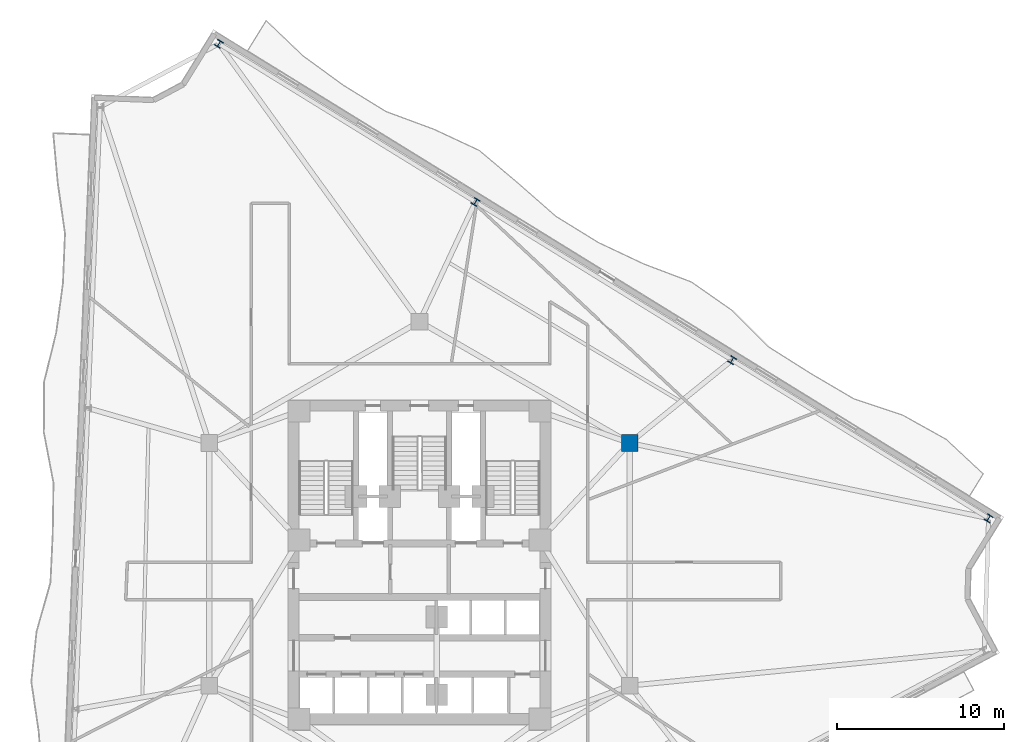
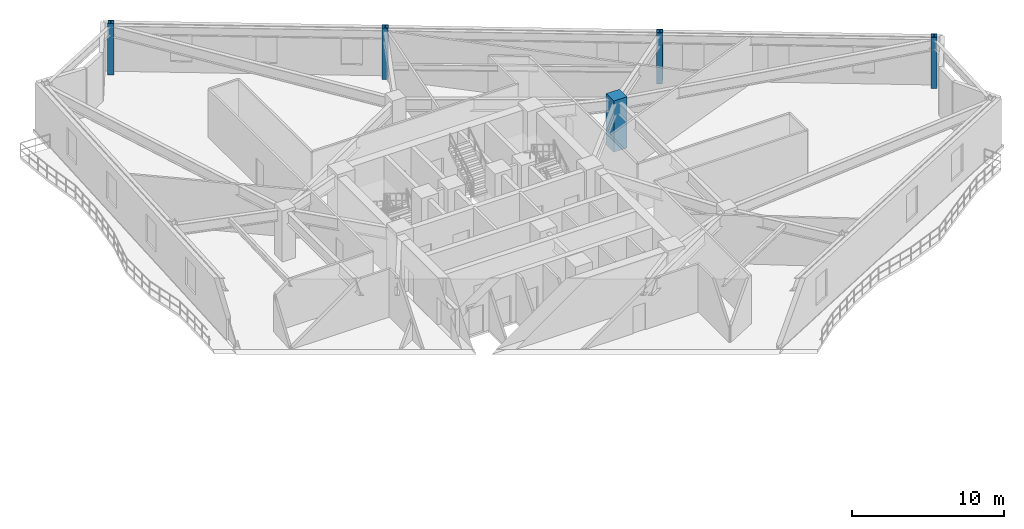
# One storey, part 2 of 12: 5 columns.
"""IFC4 building model written with IfcOpenShell, lengths in metres."""

from ifc_helpers import new_model, si_unit, direction, frame, origin, origin_2d, place, context, subcontext, project, spatial, rectangle, i_section, extrude, material, material_profile, profile_set, type_object, element, save


model = new_model("IFC4")

# Units and contexts
model_context = context("Model", 3, precision=1e-05, world=origin(), true_north=direction((0.0, 1.0)))
body_context = subcontext(model_context, "Body", "Model", "MODEL_VIEW")
ifc_project = project(units=[si_unit("LENGTHUNIT", "METRE"), si_unit("AREAUNIT", "SQUARE_METRE"), si_unit("VOLUMEUNIT", "CUBIC_METRE"), si_unit("PLANEANGLEUNIT", "RADIAN"), si_unit("MASSUNIT", "GRAM", prefix="KILO")], contexts=[model_context])

# Site, building, storey
site_placement = place(None, origin())
site = spatial("IfcSite", under=ifc_project, at=site_placement, CompositionType="ELEMENT")
building_placement = place(site_placement, origin())
building = spatial("IfcBuilding", under=site, at=building_placement, Name="Apsidion Concourse Tower", CompositionType="ELEMENT")
storey_placement = place(building_placement, frame((0.0, 0.0, 181.89990234375)))
storey = spatial("IfcBuildingStorey", under=building, at=storey_placement, Name="L42", CompositionType="ELEMENT", Elevation=181.89990234375)

# Columns
ifc_material_1 = material(Name="Concrete C50/60", Category="concrete")
ifc_material_profile_1 = material_profile(ifc_material_1, rectangle(XDim=1.0, YDim=1.0, at=origin_2d()), Name="RC 1000x1000")
ifc_profile_set_1 = profile_set([ifc_material_profile_1], Name="Concrete C50/60")
column_type_1 = type_object("IfcColumnType", Name="COL-RC-1000", PredefinedType="COLUMN", material=ifc_profile_set_1)
column_placement = place(storey_placement, frame((12.56005859375, 7.25, 0.0), z_axis=(0.0, 0.0, 1.0), x_axis=(1.0, 0.0, 0.0)))
element("IfcColumn", 1, at=column_placement, inside=storey, type_object=column_type_1, Name="L42 Interior Spine Column IC3", PredefinedType="COLUMN", context=body_context, shape_type="SweptSolid", body=[
    extrude(rectangle(XDim=1.0, YDim=1.0, at=origin_2d()), origin(), (0.0, 0.0, 1.0), 4.10009765625),
])
ifc_material_2 = material(Name="Structural steel ASTM A992 Grade 50", Category="steel")
ifc_material_profile_2 = material_profile(ifc_material_2, i_section(OverallWidth=0.406005859375, OverallDepth=0.4169921875, WebThickness=0.02978515625, FlangeThickness=0.048095703125, at=origin_2d()), Name="W14X257")
ifc_profile_set_2 = profile_set([ifc_material_profile_2], Name="Structural steel ASTM A992 Grade 50")
column_type_2 = type_object("IfcColumnType", Name="COL-W14-257", PredefinedType="COLUMN", material=ifc_profile_set_2)
for number, where, z_axis, x_axis, name in (
    (2, (34.010986328125, 2.751708984375, 0.0), (0.0, 0.0, 1.0), (-0.851269345923, 0.524728978323, 0.0), "L42 Rotated Perimeter Column PC09"),
    (3, (18.6787109375, 12.203369140625, 0.0), (0.0, 0.0, 1.0), (-0.851269345923, 0.524728978323, 0.0), "L42 Rotated Perimeter Column PC10"),
    (4, (3.346435546875, 21.655029296875, 0.0), (0.0, 0.0, 1.0), (-0.851269345923, 0.524728978323, 0.0), "L42 Rotated Perimeter Column PC11"),
    (5, (-11.98583984375, 31.106689453125, 0.0), (0.0, 0.0, 1.0), (-0.851269345923, 0.524728978323, 0.0), "L42 Rotated Perimeter Column PC12"),
):
    element("IfcColumn", number, at=place(storey_placement, frame(where, z_axis=z_axis, x_axis=x_axis)), inside=storey, type_object=column_type_2, Name=name, PredefinedType="COLUMN", context=body_context, shape_type="SweptSolid", body=[
        extrude(i_section(OverallWidth=0.406005859375, OverallDepth=0.4169921875, WebThickness=0.02978515625, FlangeThickness=0.048095703125, at=origin_2d()), origin(), (0.0, 0.0, 1.0), 4.10009765625),
    ])

save(model, "model.ifc")
